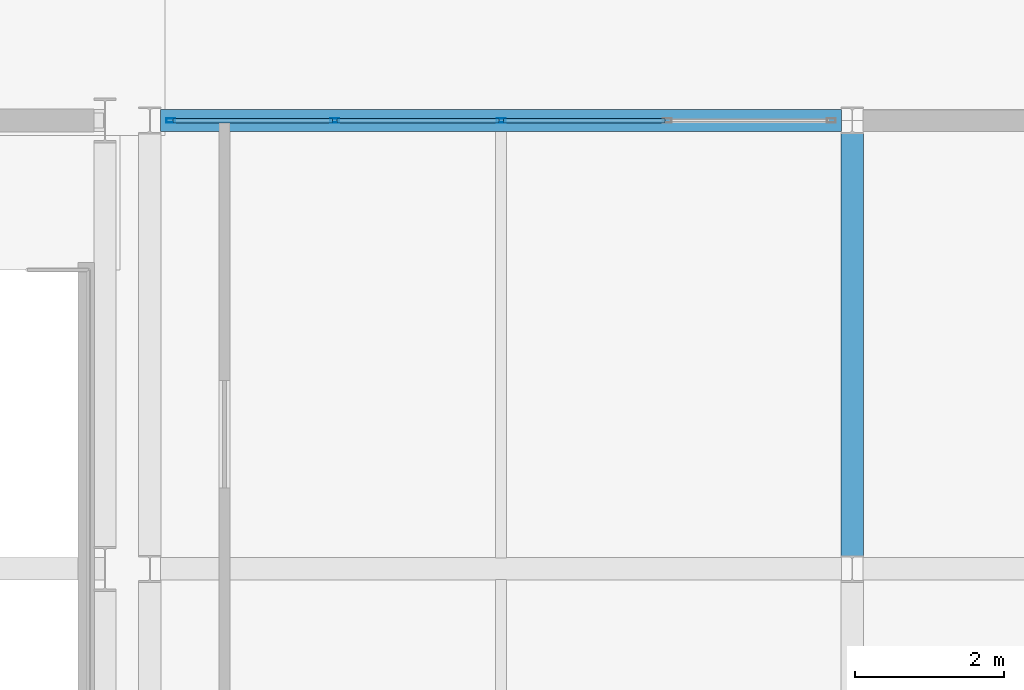
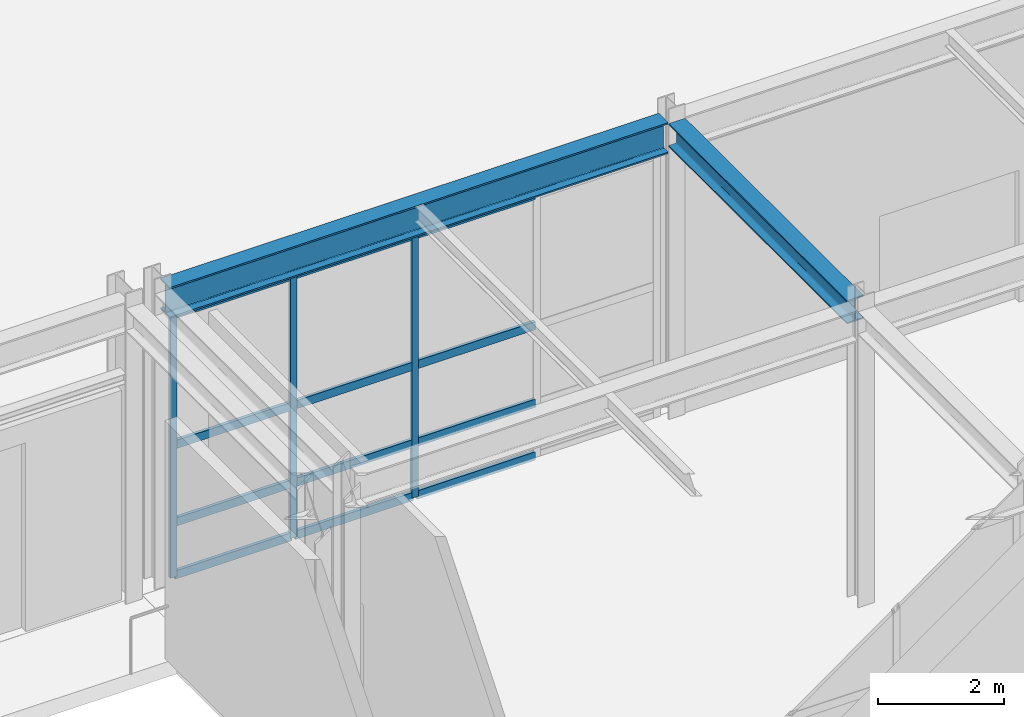
# One storey, part 97 of 146: 15 members, 2 beams, 1 element without a shape of its own.
"""IFC4 building model written with IfcOpenShell, lengths in metres."""

from ifc_helpers import new_model, si_unit, direction, frame, origin, origin_2d, place, context, subcontext, project, spatial, hollow_rectangle, i_section, extrude, material, material_profile, profile_set, type_object, element, aggregate, save


model = new_model("IFC4")

# Units and contexts
model_context = context("Model", 3, precision=1e-05, world=origin(), true_north=direction((0.0, 1.0)))
body_context = subcontext(model_context, "Body", "Model", "MODEL_VIEW")
ifc_project = project(units=[si_unit("LENGTHUNIT", "METRE"), si_unit("AREAUNIT", "SQUARE_METRE"), si_unit("VOLUMEUNIT", "CUBIC_METRE"), si_unit("PLANEANGLEUNIT", "RADIAN"), si_unit("MASSUNIT", "GRAM", prefix="KILO")], contexts=[model_context])

# Site, building, storey
site_placement = place(None, origin())
site = spatial("IfcSite", under=ifc_project, at=site_placement, CompositionType="ELEMENT")
building_placement = place(site_placement, origin())
building = spatial("IfcBuilding", under=site, at=building_placement, Name="Kaldris Quays Convention Centre", CompositionType="ELEMENT")
storey_placement = place(building_placement, origin())
storey = spatial("IfcBuildingStorey", under=building, at=storey_placement, Name="L00", CompositionType="ELEMENT", Elevation=0.0)

# Curtain wall, members
ifc_material_1 = material(Name="Anodized aluminium AW-6060 and triple glazing", Category="aluminium")
curtain_wall_type = type_object("IfcCurtainWallType", Name="UNITISED CURTAIN WALL CW06", PredefinedType="NOTDEFINED", material=ifc_material_1)
curtain_wall_placement = place(storey_placement, origin())
curtain_wall = element("IfcCurtainWall", 1, at=curtain_wall_placement, inside=storey, type_object=curtain_wall_type, Name="L00 Unitised Curtain Wall CW06 153", PredefinedType="NOTDEFINED")
ifc_material_2 = material(Name="Anodized aluminium AW-6060", Category="aluminium")
ifc_material_profile_1 = material_profile(ifc_material_2, hollow_rectangle(XDim=0.06005859375, YDim=0.1201171875, WallThickness=0.00390625, at=origin_2d()), Name="RHS 120x60x4")
ifc_profile_set_1 = profile_set([ifc_material_profile_1], Name="Anodized aluminium AW-6060")
member_type_1 = type_object("IfcMemberType", Name="CURTAIN MULLION CWM3", PredefinedType="MULLION", material=ifc_profile_set_1)
member_1_placement = place(storey_placement, frame((164.8798828125, 116.0, 0.0), z_axis=(0.0, 0.0, 1.0), x_axis=(0.0, 1.0, 0.0)))
member_1 = element("IfcMember", 2, at=member_1_placement, type_object=member_type_1, Name="CW06 mullion 1", PredefinedType="MULLION", context=body_context, shape_type="SweptSolid", body=[
    extrude(hollow_rectangle(XDim=0.06005859375, YDim=0.1201171875, WallThickness=0.00390625, at=origin_2d()), origin(), (0.0, 0.0, 1.0), 5.097900390625),
])
member_2_placement = place(storey_placement, frame((167.074951171875, 116.0, 0.0), z_axis=(0.0, 0.0, 1.0), x_axis=(0.0, 1.0, 0.0)))
member_2 = element("IfcMember", 3, at=member_2_placement, type_object=member_type_1, Name="CW06 mullion 2", PredefinedType="MULLION", context=body_context, shape_type="SweptSolid", body=[
    extrude(hollow_rectangle(XDim=0.06005859375, YDim=0.1201171875, WallThickness=0.00390625, at=origin_2d()), origin(), (0.0, 0.0, 1.0), 5.097900390625),
])
member_3_placement = place(storey_placement, frame((169.300048828125, 116.0, 0.0), z_axis=(0.0, 0.0, 1.0), x_axis=(0.0, 1.0, 0.0)))
member_3 = element("IfcMember", 4, at=member_3_placement, type_object=member_type_1, Name="CW06 mullion 3", PredefinedType="MULLION", context=body_context, shape_type="SweptSolid", body=[
    extrude(hollow_rectangle(XDim=0.06005859375, YDim=0.1201171875, WallThickness=0.00390625, at=origin_2d()), origin(), (0.0, 0.0, 1.0), 5.097900390625),
])
ifc_material_profile_2 = material_profile(ifc_material_2, hollow_rectangle(XDim=0.06005859375, YDim=0.159912109375, WallThickness=0.00390625, at=origin_2d()), Name="RHS 160x60x4")
ifc_profile_set_2 = profile_set([ifc_material_profile_2], Name="Anodized aluminium AW-6060")
member_type_2 = type_object("IfcMemberType", Name="CURTAIN TRANSOM CWT2", PredefinedType="USERDEFINED", material=ifc_profile_set_2)
member_4_placement = place(storey_placement, frame((164.909912109375, 116.0, 0.030029296875), z_axis=(1.0, 0.0, 0.0), x_axis=(0.0, 1.0, 0.0)))
member_4 = element("IfcMember", 5, at=member_4_placement, type_object=member_type_2, Name="CW06 transom 1.1", ObjectType="TRANSOM", PredefinedType="USERDEFINED", context=body_context, shape_type="SweptSolid", body=[
    extrude(hollow_rectangle(XDim=0.06005859375, YDim=0.159912109375, WallThickness=0.00390625, at=origin_2d()), origin(), (0.0, 0.0, 1.0), 2.135009765625),
])
member_5_placement = place(storey_placement, frame((164.909912109375, 116.0, 1.050048828125), z_axis=(1.0, 0.0, 0.0), x_axis=(0.0, 1.0, 0.0)))
member_5 = element("IfcMember", 6, at=member_5_placement, type_object=member_type_2, Name="CW06 transom 1.2", ObjectType="TRANSOM", PredefinedType="USERDEFINED", context=body_context, shape_type="SweptSolid", body=[
    extrude(hollow_rectangle(XDim=0.06005859375, YDim=0.159912109375, WallThickness=0.00390625, at=origin_2d()), origin(), (0.0, 0.0, 1.0), 2.135009765625),
])
member_6_placement = place(storey_placement, frame((164.909912109375, 116.0, 2.549072265625), z_axis=(1.0, 0.0, 0.0), x_axis=(0.0, 1.0, 0.0)))
member_6 = element("IfcMember", 7, at=member_6_placement, type_object=member_type_2, Name="CW06 transom 1.3", ObjectType="TRANSOM", PredefinedType="USERDEFINED", context=body_context, shape_type="SweptSolid", body=[
    extrude(hollow_rectangle(XDim=0.06005859375, YDim=0.159912109375, WallThickness=0.00390625, at=origin_2d()), origin(), (0.0, 0.0, 1.0), 2.135009765625),
])
member_7_placement = place(storey_placement, frame((164.909912109375, 116.0, 5.068115234375), z_axis=(1.0, 0.0, 0.0), x_axis=(0.0, 1.0, 0.0)))
member_7 = element("IfcMember", 8, at=member_7_placement, type_object=member_type_2, Name="CW06 transom 1.4", ObjectType="TRANSOM", PredefinedType="USERDEFINED", context=body_context, shape_type="SweptSolid", body=[
    extrude(hollow_rectangle(XDim=0.06005859375, YDim=0.159912109375, WallThickness=0.00390625, at=origin_2d()), origin(), (0.0, 0.0, 1.0), 2.135009765625),
])
member_8_placement = place(storey_placement, frame((167.10498046875, 116.0, 0.030029296875), z_axis=(1.0, 0.0, 0.0), x_axis=(0.0, 1.0, 0.0)))
member_8 = element("IfcMember", 9, at=member_8_placement, type_object=member_type_2, Name="CW06 transom 2.1", ObjectType="TRANSOM", PredefinedType="USERDEFINED", context=body_context, shape_type="SweptSolid", body=[
    extrude(hollow_rectangle(XDim=0.06005859375, YDim=0.159912109375, WallThickness=0.00390625, at=origin_2d()), origin(), (0.0, 0.0, 1.0), 2.1650390625),
])
member_9_placement = place(storey_placement, frame((167.10498046875, 116.0, 1.050048828125), z_axis=(1.0, 0.0, 0.0), x_axis=(0.0, 1.0, 0.0)))
member_9 = element("IfcMember", 10, at=member_9_placement, type_object=member_type_2, Name="CW06 transom 2.2", ObjectType="TRANSOM", PredefinedType="USERDEFINED", context=body_context, shape_type="SweptSolid", body=[
    extrude(hollow_rectangle(XDim=0.06005859375, YDim=0.159912109375, WallThickness=0.00390625, at=origin_2d()), origin(), (0.0, 0.0, 1.0), 2.1650390625),
])
member_10_placement = place(storey_placement, frame((167.10498046875, 116.0, 2.549072265625), z_axis=(1.0, 0.0, 0.0), x_axis=(0.0, 1.0, 0.0)))
member_10 = element("IfcMember", 11, at=member_10_placement, type_object=member_type_2, Name="CW06 transom 2.3", ObjectType="TRANSOM", PredefinedType="USERDEFINED", context=body_context, shape_type="SweptSolid", body=[
    extrude(hollow_rectangle(XDim=0.06005859375, YDim=0.159912109375, WallThickness=0.00390625, at=origin_2d()), origin(), (0.0, 0.0, 1.0), 2.1650390625),
])
member_11_placement = place(storey_placement, frame((167.10498046875, 116.0, 5.068115234375), z_axis=(1.0, 0.0, 0.0), x_axis=(0.0, 1.0, 0.0)))
member_11 = element("IfcMember", 12, at=member_11_placement, type_object=member_type_2, Name="CW06 transom 2.4", ObjectType="TRANSOM", PredefinedType="USERDEFINED", context=body_context, shape_type="SweptSolid", body=[
    extrude(hollow_rectangle(XDim=0.06005859375, YDim=0.159912109375, WallThickness=0.00390625, at=origin_2d()), origin(), (0.0, 0.0, 1.0), 2.1650390625),
])
member_12_placement = place(storey_placement, frame((169.330078125, 116.0, 0.030029296875), z_axis=(1.0, 0.0, 0.0), x_axis=(0.0, 1.0, 0.0)))
member_12 = element("IfcMember", 13, at=member_12_placement, type_object=member_type_2, Name="CW06 transom 3.1", ObjectType="TRANSOM", PredefinedType="USERDEFINED", context=body_context, shape_type="SweptSolid", body=[
    extrude(hollow_rectangle(XDim=0.06005859375, YDim=0.159912109375, WallThickness=0.00390625, at=origin_2d()), origin(), (0.0, 0.0, 1.0), 2.1650390625),
])
member_13_placement = place(storey_placement, frame((169.330078125, 116.0, 1.050048828125), z_axis=(1.0, 0.0, 0.0), x_axis=(0.0, 1.0, 0.0)))
member_13 = element("IfcMember", 14, at=member_13_placement, type_object=member_type_2, Name="CW06 transom 3.2", ObjectType="TRANSOM", PredefinedType="USERDEFINED", context=body_context, shape_type="SweptSolid", body=[
    extrude(hollow_rectangle(XDim=0.06005859375, YDim=0.159912109375, WallThickness=0.00390625, at=origin_2d()), origin(), (0.0, 0.0, 1.0), 2.1650390625),
])
member_14_placement = place(storey_placement, frame((169.330078125, 116.0, 2.549072265625), z_axis=(1.0, 0.0, 0.0), x_axis=(0.0, 1.0, 0.0)))
member_14 = element("IfcMember", 15, at=member_14_placement, type_object=member_type_2, Name="CW06 transom 3.3", ObjectType="TRANSOM", PredefinedType="USERDEFINED", context=body_context, shape_type="SweptSolid", body=[
    extrude(hollow_rectangle(XDim=0.06005859375, YDim=0.159912109375, WallThickness=0.00390625, at=origin_2d()), origin(), (0.0, 0.0, 1.0), 2.1650390625),
])
member_15_placement = place(storey_placement, frame((169.330078125, 116.0, 5.068115234375), z_axis=(1.0, 0.0, 0.0), x_axis=(0.0, 1.0, 0.0)))
member_15 = element("IfcMember", 16, at=member_15_placement, type_object=member_type_2, Name="CW06 transom 3.4", ObjectType="TRANSOM", PredefinedType="USERDEFINED", context=body_context, shape_type="SweptSolid", body=[
    extrude(hollow_rectangle(XDim=0.06005859375, YDim=0.159912109375, WallThickness=0.00390625, at=origin_2d()), origin(), (0.0, 0.0, 1.0), 2.1650390625),
])
aggregate(curtain_wall, [member_1, member_2, member_3, member_4, member_5, member_6, member_7, member_8, member_9, member_10, member_11, member_12, member_13, member_14, member_15])

# Beams
ifc_material_3 = material(Name="Steel S355J2", Category="steel")
ifc_material_profile_3 = material_profile(ifc_material_3, i_section(OverallWidth=0.300048828125, OverallDepth=0.60009765625, WebThickness=0.015380859375, FlangeThickness=0.030029296875, FilletRadius=0.027099609375, at=origin_2d()), Name="HEB 600")
ifc_profile_set_3 = profile_set([ifc_material_profile_3], Name="Steel S355J2")
beam_type_1 = type_object("IfcBeamType", Name="STRUCTURAL BEAM BM05", PredefinedType="BEAM", material=ifc_profile_set_3)
beam_1_placement = place(storey_placement, frame((164.743896484375, 116.0, 5.423095703125), z_axis=(1.0, 0.0, 0.0), x_axis=(0.0, 1.0, 0.0)))
element("IfcBeam", 17, at=beam_1_placement, inside=storey, type_object=beam_type_1, Name="L00 Girder BM05 53", PredefinedType="BEAM", context=body_context, shape_type="SweptSolid", body=[
    extrude(i_section(OverallWidth=0.300048828125, OverallDepth=0.60009765625, WebThickness=0.015380859375, FlangeThickness=0.030029296875, FilletRadius=0.027099609375, at=origin_2d()), origin(), (0.0, 0.0, 1.0), 9.112060546875),
])
ifc_material_profile_4 = material_profile(ifc_material_3, i_section(OverallWidth=0.300048828125, OverallDepth=0.449951171875, WebThickness=0.013916015625, FlangeThickness=0.02587890625, FilletRadius=0.027099609375, at=origin_2d()), Name="HEB 450")
ifc_profile_set_4 = profile_set([ifc_material_profile_4], Name="Steel S355J2")
beam_type_2 = type_object("IfcBeamType", Name="STRUCTURAL BEAM BM07", PredefinedType="BEAM", material=ifc_profile_set_4)
beam_2_placement = place(storey_placement, frame((174.0, 110.174072265625, 5.498046875), z_axis=(0.0, 1.0, 0.0), x_axis=(-1.0, 0.0, 0.0)))
element("IfcBeam", 18, at=beam_2_placement, inside=storey, type_object=beam_type_2, Name="L00 Girder BM07 105", PredefinedType="BEAM", context=body_context, shape_type="SweptSolid", body=[
    extrude(i_section(OverallWidth=0.300048828125, OverallDepth=0.449951171875, WebThickness=0.013916015625, FlangeThickness=0.02587890625, FilletRadius=0.027099609375, at=origin_2d()), origin(), (0.0, 0.0, 1.0), 5.65185546875),
])

save(model, "model.ifc")
